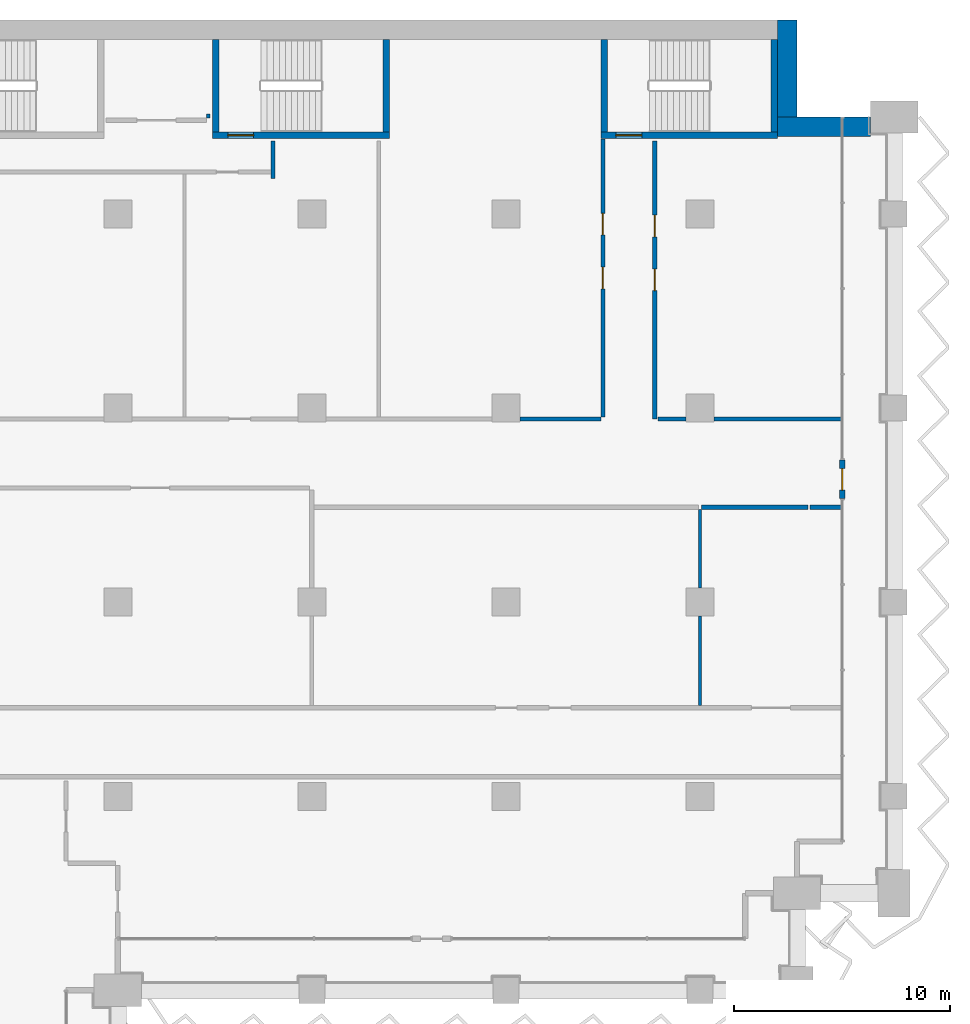
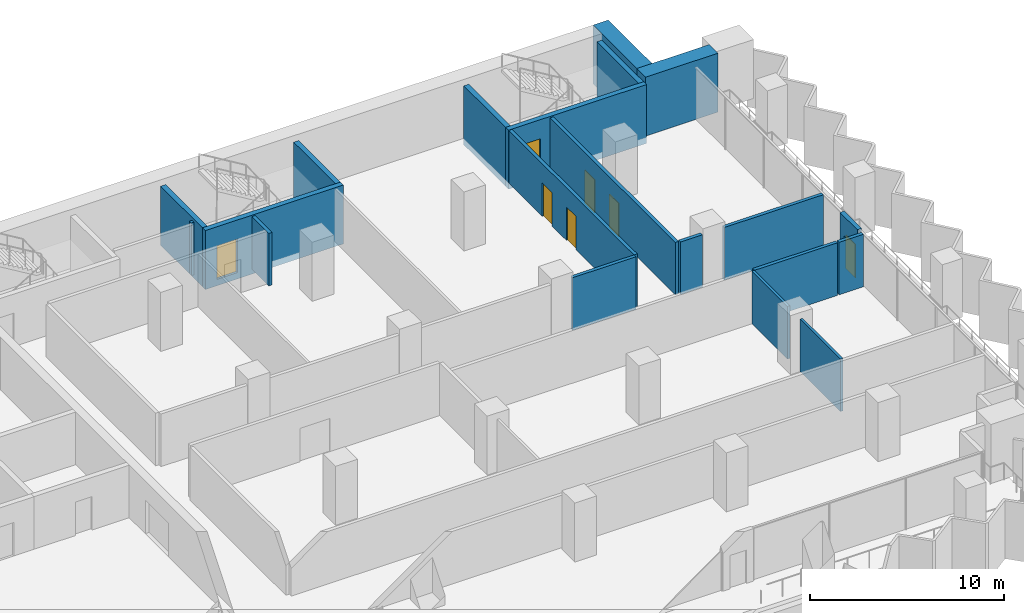
# One storey, part 15 of 23: 20 walls, 7 doors, 7 openings.
"""IFC4 building model written with IfcOpenShell, lengths in metres."""

from ifc_helpers import new_model, si_unit, direction, frame, frame_2d, origin, place, context, subcontext, project, spatial, rectangle, extrude, material, layer, layer_set, type_object, element, fill, save


model = new_model("IFC4")

# Units and contexts
model_context = context("Model", 3, precision=1e-05, world=origin(), true_north=direction((0.0, 1.0)))
body_context = subcontext(model_context, "Body", "Model", "MODEL_VIEW")
ifc_project = project(units=[si_unit("LENGTHUNIT", "METRE"), si_unit("AREAUNIT", "SQUARE_METRE"), si_unit("VOLUMEUNIT", "CUBIC_METRE"), si_unit("PLANEANGLEUNIT", "RADIAN"), si_unit("MASSUNIT", "GRAM", prefix="KILO")], contexts=[model_context])

# Site, building, storey
site_placement = place(None, origin())
site = spatial("IfcSite", under=ifc_project, at=site_placement, CompositionType="ELEMENT")
building_placement = place(site_placement, origin())
building = spatial("IfcBuilding", under=site, at=building_placement, Name="Hunhe Ridgeline Campus", CompositionType="ELEMENT")
storey_placement = place(building_placement, frame((0.0, 0.0, 121.800048828125)))
storey = spatial("IfcBuildingStorey", under=building, at=storey_placement, Name="L30", CompositionType="ELEMENT", Elevation=121.800048828125)

# Walls
ifc_material_1 = material(Name="Gypsum board partition")
ifc_layer_1 = layer(ifc_material_1, 0.199951171875)
ifc_layer_set_1 = layer_set([ifc_layer_1], Name="Corridor partition 200 gypsum board on steel studs")
wall_type_1 = type_object("IfcWallType", Name="Corridor partition 200 gypsum board on steel studs", PredefinedType="PARTITIONING", material=ifc_layer_set_1)
wall_1_placement = place(storey_placement, frame((76.9990234375, 76.40087890625, 0.0), z_axis=(0.0, 0.0, 1.0), x_axis=(-1.0, 0.0, 0.0)))
element("IfcWall", 1, at=wall_1_placement, inside=storey, type_object=wall_type_1, Name="F-L30-wall-042", PredefinedType="PARTITIONING", context=body_context, shape_type="SweptSolid", body=[
    extrude(rectangle(XDim=4.924072265625, YDim=0.199951171875, at=frame_2d((2.4619140625, 0.0))), origin(), (0.0, 0.0, 1.0), 3.300048828125),
])
wall_2_placement = place(storey_placement, frame((78.544921875, 76.40087890625, 0.0), z_axis=(0.0, 0.0, 1.0), x_axis=(-1.0, 0.0, 0.0)))
element("IfcWall", 2, at=wall_2_placement, inside=storey, type_object=wall_type_1, Name="F-L30-wall-043", PredefinedType="PARTITIONING", context=body_context, shape_type="SweptSolid", body=[
    extrude(rectangle(XDim=1.44580078125, YDim=0.199951171875, at=frame_2d((0.722900390625, 0.0))), origin(), (0.0, 0.0, 1.0), 3.300048828125),
])
wall_3_placement = place(storey_placement, frame((63.64990234375, 80.5, 0.0), z_axis=(0.0, 0.0, 1.0), x_axis=(1.0, 0.0, 0.0)))
element("IfcWall", 3, at=wall_3_placement, inside=storey, type_object=wall_type_1, Name="F-L30-wall-048", PredefinedType="PARTITIONING", context=body_context, shape_type="SweptSolid", body=[
    extrude(rectangle(XDim=3.75, YDim=0.199951171875, at=frame_2d((1.875, 0.0))), origin(), (0.0, 0.0, 1.0), 3.300048828125),
])
wall_4_placement = place(storey_placement, frame((70.056884765625, 80.5, 0.0), z_axis=(0.0, 0.0, 1.0), x_axis=(1.0, 0.0, 0.0)))
element("IfcWall", 4, at=wall_4_placement, inside=storey, type_object=wall_type_1, Name="F-L30-wall-049", PredefinedType="PARTITIONING", context=body_context, shape_type="SweptSolid", body=[
    extrude(rectangle(XDim=1.293212890625, YDim=0.199951171875, at=frame_2d((0.646484375, 0.0))), origin(), (0.0, 0.0, 1.0), 3.300048828125),
])
wall_5_placement = place(storey_placement, frame((72.64990234375, 80.5, 0.0), z_axis=(0.0, 0.0, 1.0), x_axis=(1.0, 0.0, 0.0)))
element("IfcWall", 5, at=wall_5_placement, inside=storey, type_object=wall_type_1, Name="F-L30-wall-050", PredefinedType="PARTITIONING", context=body_context, shape_type="SweptSolid", body=[
    extrude(rectangle(XDim=5.89501953125, YDim=0.199951171875, at=frame_2d((2.947509765625, 0.0))), origin(), (0.0, 0.0, 1.0), 3.300048828125),
])
wall_6_placement = place(storey_placement, frame((52.199951171875, 93.39599609375, 0.0), z_axis=(0.0, 0.0, 1.0), x_axis=(0.0, -1.0, 0.0)))
element("IfcWall", 6, at=wall_6_placement, inside=storey, type_object=wall_type_1, Name="F-L30-wall-071", PredefinedType="PARTITIONING", context=body_context, shape_type="SweptSolid", body=[
    extrude(rectangle(XDim=1.74609375, YDim=0.199951171875, at=frame_2d((0.873046875, 0.0))), origin(), (0.0, 0.0, 1.0), 3.300048828125),
])

# Wall, openings, doors
wall_7_placement = place(storey_placement, frame((67.5, 80.60009765625, 0.0), z_axis=(0.0, 0.0, 1.0), x_axis=(0.0, 1.0, 0.0)))
wall_7 = element("IfcWall", 7, at=wall_7_placement, inside=storey, type_object=wall_type_1, Name="F-L30-wall-075", PredefinedType="PARTITIONING", context=body_context, shape_type="SweptSolid", body=[
    extrude(rectangle(XDim=12.869873046875, YDim=0.199951171875, at=frame_2d((6.43505859375, 0.0))), origin(), (0.0, 0.0, 1.0), 3.300048828125),
])
opening_1_placement = place(wall_7_placement, frame((5.93505859375, 0.0, 0.0)))
opening_1 = element("IfcOpeningElement", 8, at=opening_1_placement, cuts=wall_7, Name="Opening RD1-030", PredefinedType="OPENING", context=body_context, shape_type="SweptSolid", body=[
    extrude(rectangle(XDim=1.0, YDim=2.10009765625, at=frame_2d((0.5, 1.050048828125))), frame((0.0, 0.10009765625, 0.0), z_axis=(0.0, -1.0, 0.0), x_axis=(1.0, 0.0, 0.0)), (0.0, 0.0, 1.0), 0.199951171875),
])
opening_2_placement = place(wall_7_placement, frame((8.43505859375, 0.0, 0.0)))
opening_2 = element("IfcOpeningElement", 9, at=opening_2_placement, cuts=wall_7, Name="Opening RD1-033", PredefinedType="OPENING", context=body_context, shape_type="SweptSolid", body=[
    extrude(rectangle(XDim=1.0, YDim=2.10009765625, at=frame_2d((0.5, 1.050048828125))), frame((0.0, 0.10009765625, 0.0), z_axis=(0.0, -1.0, 0.0), x_axis=(1.0, 0.0, 0.0)), (0.0, 0.0, 1.0), 0.199951171875),
])
ifc_material_2 = material(Name="Timber door leaf", Category="wood")
door_type_1 = type_object("IfcDoorType", Name="Single fire door 1000x2100 timber FD60", OperationType="NOTDEFINED", PredefinedType="DOOR", material=ifc_material_2)
door_1_placement = place(opening_1_placement, frame((1.0, 0.0, 0.0), z_axis=(0.0, 0.0, 1.0), x_axis=(-1.0, 0.0, 0.0)))
door_1 = element("IfcDoor", 10, at=door_1_placement, inside=storey, type_object=door_type_1, Name="F-L30-door-030", OperationType="SINGLE_SWING_LEFT", OverallHeight=2.10009765625, OverallWidth=1.0, PredefinedType="DOOR", context=body_context, shape_type="SweptSolid", body=[
    extrude(rectangle(XDim=1.0, YDim=2.10009765625, at=frame_2d((0.5, 1.050048828125))), frame((0.0, 0.02490234375, 0.0), z_axis=(0.0, -1.0, 0.0), x_axis=(1.0, 0.0, 0.0)), (0.0, 0.0, 1.0), 0.050048828125),
])
fill(opening_1, door_1)
door_2_placement = place(opening_2_placement, frame((1.0, 0.0, 0.0), z_axis=(0.0, 0.0, 1.0), x_axis=(-1.0, 0.0, 0.0)))
door_2 = element("IfcDoor", 11, at=door_2_placement, inside=storey, type_object=door_type_1, Name="F-L30-door-033", OperationType="SINGLE_SWING_LEFT", OverallHeight=2.10009765625, OverallWidth=1.0, PredefinedType="DOOR", context=body_context, shape_type="SweptSolid", body=[
    extrude(rectangle(XDim=1.0, YDim=2.10009765625, at=frame_2d((0.5, 1.050048828125))), frame((0.0, 0.02490234375, 0.0), z_axis=(0.0, -1.0, 0.0), x_axis=(1.0, 0.0, 0.0)), (0.0, 0.0, 1.0), 0.050048828125),
])
fill(opening_2, door_2)

wall_8_placement = place(storey_placement, frame((69.89990234375, 93.39599609375, 0.0), z_axis=(0.0, 0.0, 1.0), x_axis=(0.0, -1.0, 0.0)))
wall_8 = element("IfcWall", 12, at=wall_8_placement, inside=storey, type_object=wall_type_1, Name="F-L30-wall-076", PredefinedType="PARTITIONING", context=body_context, shape_type="SweptSolid", body=[
    extrude(rectangle(XDim=12.89599609375, YDim=0.199951171875, at=frame_2d((6.447998046875, 0.0))), origin(), (0.0, 0.0, 1.0), 3.300048828125),
])
opening_3_placement = place(wall_8_placement, frame((5.947998046875, 0.0, 0.0)))
opening_3 = element("IfcOpeningElement", 13, at=opening_3_placement, cuts=wall_8, Name="Opening RD1-029", PredefinedType="OPENING", context=body_context, shape_type="SweptSolid", body=[
    extrude(rectangle(XDim=1.0, YDim=2.10009765625, at=frame_2d((0.5, 1.050048828125))), frame((0.0, 0.10009765625, 0.0), z_axis=(0.0, -1.0, 0.0), x_axis=(1.0, 0.0, 0.0)), (0.0, 0.0, 1.0), 0.199951171875),
])
opening_4_placement = place(wall_8_placement, frame((3.447998046875, 0.0, 0.0)))
opening_4 = element("IfcOpeningElement", 14, at=opening_4_placement, cuts=wall_8, Name="Opening RD1-032", PredefinedType="OPENING", context=body_context, shape_type="SweptSolid", body=[
    extrude(rectangle(XDim=1.0, YDim=2.10009765625, at=frame_2d((0.5, 1.050048828125))), frame((0.0, 0.10009765625, 0.0), z_axis=(0.0, -1.0, 0.0), x_axis=(1.0, 0.0, 0.0)), (0.0, 0.0, 1.0), 0.199951171875),
])
door_3_placement = place(opening_3_placement, frame((1.0, 0.0, 0.0), z_axis=(0.0, 0.0, 1.0), x_axis=(-1.0, 0.0, 0.0)))
door_3 = element("IfcDoor", 15, at=door_3_placement, inside=storey, type_object=door_type_1, Name="F-L30-door-029", OperationType="SINGLE_SWING_RIGHT", OverallHeight=2.10009765625, OverallWidth=1.0, PredefinedType="DOOR", context=body_context, shape_type="SweptSolid", body=[
    extrude(rectangle(XDim=1.0, YDim=2.10009765625, at=frame_2d((0.5, 1.050048828125))), frame((0.0, 0.02490234375, 0.0), z_axis=(0.0, -1.0, 0.0), x_axis=(1.0, 0.0, 0.0)), (0.0, 0.0, 1.0), 0.050048828125),
])
fill(opening_3, door_3)
door_4_placement = place(opening_4_placement, frame((1.0, 0.0, 0.0), z_axis=(0.0, 0.0, 1.0), x_axis=(-1.0, 0.0, 0.0)))
door_4 = element("IfcDoor", 16, at=door_4_placement, inside=storey, type_object=door_type_1, Name="F-L30-door-032", OperationType="SINGLE_SWING_RIGHT", OverallHeight=2.10009765625, OverallWidth=1.0, PredefinedType="DOOR", context=body_context, shape_type="SweptSolid", body=[
    extrude(rectangle(XDim=1.0, YDim=2.10009765625, at=frame_2d((0.5, 1.050048828125))), frame((0.0, 0.02490234375, 0.0), z_axis=(0.0, -1.0, 0.0), x_axis=(1.0, 0.0, 0.0)), (0.0, 0.0, 1.0), 0.050048828125),
])
fill(opening_4, door_4)

# Wall, opening, door
ifc_material_3 = material(Name="Concrete C30", Category="concrete")
ifc_layer_2 = layer(ifc_material_3, 0.25)
ifc_layer_set_2 = layer_set([ifc_layer_2], Name="Loggia door pier wall 250 Concrete C30")
wall_type_2 = type_object("IfcWallType", Name="Loggia door pier wall 250 Concrete C30", PredefinedType="SOLIDWALL", material=ifc_layer_set_2)
wall_9_placement = place(storey_placement, frame((78.59912109375, 76.800537109375, 0.0), z_axis=(0.0, 0.0, 1.0), x_axis=(0.0, 1.0, 0.0)))
wall_9 = element("IfcWall", 17, at=wall_9_placement, inside=storey, type_object=wall_type_2, Name="Loggia door pier 5", PredefinedType="SOLIDWALL", context=body_context, shape_type="SweptSolid", body=[
    extrude(rectangle(XDim=1.800048828125, YDim=0.25, at=frame_2d((0.89990234375, 0.0))), origin(), (0.0, 0.0, 1.0), 3.300048828125),
])
opening_5_placement = place(wall_9_placement, frame((0.39990234375, 0.0, 0.0)))
opening_5 = element("IfcOpeningElement", 18, at=opening_5_placement, cuts=wall_9, Name="Opening BD207", PredefinedType="OPENING", context=body_context, shape_type="SweptSolid", body=[
    extrude(rectangle(XDim=1.0, YDim=2.10009765625, at=frame_2d((0.5, 1.050048828125))), frame((0.0, 0.125, 0.0), z_axis=(0.0, -1.0, 0.0), x_axis=(1.0, 0.0, 0.0)), (0.0, 0.0, 1.0), 0.25),
])
ifc_material_4 = material(Name="Aluminium 6063", Category="aluminium")
door_type_2 = type_object("IfcDoorType", Name="Loggia glazed door 1000x2100", OperationType="NOTDEFINED", PredefinedType="DOOR", material=ifc_material_4)
door_5_placement = place(opening_5_placement, frame((1.0, 0.0, 0.0), z_axis=(0.0, 0.0, 1.0), x_axis=(-1.0, 0.0, 0.0)))
door_5 = element("IfcDoor", 19, at=door_5_placement, inside=storey, type_object=door_type_2, Name="Loggia door BD207", OperationType="SINGLE_SWING_RIGHT", OverallHeight=2.10009765625, OverallWidth=1.0, PredefinedType="DOOR", context=body_context, shape_type="SweptSolid", body=[
    extrude(rectangle(XDim=1.0, YDim=2.10009765625, at=frame_2d((0.5, 1.050048828125))), frame((0.0, 0.02490234375, 0.0), z_axis=(0.0, -1.0, 0.0), x_axis=(1.0, 0.0, 0.0)), (0.0, 0.0, 1.0), 0.050048828125),
])
fill(opening_5, door_5)

# Walls
ifc_layer_3 = layer(ifc_material_1, 0.14990234375)
ifc_layer_set_3 = layer_set([ifc_layer_3], Name="Room partition 150 gypsum board on steel studs")
wall_type_3 = type_object("IfcWallType", Name="Room partition 150 gypsum board on steel studs", PredefinedType="PARTITIONING", material=ifc_layer_set_3)
wall_10_placement = place(storey_placement, frame((49.199951171875, 94.64990234375, 0.0), z_axis=(0.0, 0.0, 1.0), x_axis=(0.0, -1.0, 0.0)))
element("IfcWall", 20, at=wall_10_placement, inside=storey, type_object=wall_type_3, Name="F-L30-wall-070", PredefinedType="PARTITIONING", context=body_context, shape_type="SweptSolid", body=[
    extrude(rectangle(XDim=0.199951171875, YDim=0.14990234375, at=frame_2d((0.10009765625, 0.0))), origin(), (0.0, 0.0, 1.0), 3.300048828125),
])
wall_11_placement = place(storey_placement, frame((72.0, 71.35009765625, 0.0), z_axis=(0.0, 0.0, 1.0), x_axis=(0.0, -1.0, 0.0)))
element("IfcWall", 21, at=wall_11_placement, inside=storey, type_object=wall_type_3, Name="F-L30-wall-077", PredefinedType="PARTITIONING", context=body_context, shape_type="SweptSolid", body=[
    extrude(rectangle(XDim=4.150146484375, YDim=0.14990234375, at=frame_2d((2.0751953125, 0.0))), origin(), (0.0, 0.0, 1.0), 3.300048828125),
])
wall_12_placement = place(storey_placement, frame((72.0, 76.301025390625, 0.0), z_axis=(0.0, 0.0, 1.0), x_axis=(0.0, -1.0, 0.0)))
element("IfcWall", 22, at=wall_12_placement, inside=storey, type_object=wall_type_3, Name="F-L30-wall-078", PredefinedType="PARTITIONING", context=body_context, shape_type="SweptSolid", body=[
    extrude(rectangle(XDim=3.651123046875, YDim=0.14990234375, at=frame_2d((1.82568359375, 0.0))), origin(), (0.0, 0.0, 1.0), 3.300048828125),
])
ifc_material_5 = material(Name="Concrete C70", Category="concrete")
ifc_layer_4 = layer(ifc_material_5, 0.89990234375)
ifc_layer_set_4 = layer_set([ifc_layer_4], Name="Spine wall 900 Concrete C70")
wall_type_4 = type_object("IfcWallType", Name="Spine wall 900 Concrete C70", PredefinedType="SHEAR", material=ifc_layer_set_4)
wall_13_placement = place(storey_placement, frame((79.89990234375, 94.050048828125, 0.0), z_axis=(0.0, 0.0, 1.0), x_axis=(-1.0, 0.0, 0.0)))
element("IfcWall", 23, at=wall_13_placement, inside=storey, type_object=wall_type_4, Name="Spine wall SW2-2 L30", PredefinedType="SHEAR", context=body_context, shape_type="SweptSolid", body=[
    extrude(rectangle(XDim=4.30029296875, YDim=0.89990234375, at=frame_2d((2.150146484375, 0.0))), origin(), (0.0, 0.0, 1.0), 3.699951171875),
])
wall_14_placement = place(storey_placement, frame((76.050048828125, 93.60009765625, 0.0), z_axis=(0.0, 0.0, 1.0), x_axis=(0.0, 1.0, 0.0)))
element("IfcWall", 24, at=wall_14_placement, inside=storey, type_object=wall_type_4, Name="Spine wall SW2-3 L30", PredefinedType="SHEAR", context=body_context, shape_type="SweptSolid", body=[
    extrude(rectangle(XDim=5.39990234375, YDim=0.89990234375, at=frame_2d((2.699951171875, 0.0))), origin(), (0.0, 0.0, 1.0), 3.699951171875),
])

# Wall, opening, door
ifc_material_6 = material(Name="Concrete C80", Category="concrete")
ifc_layer_5 = layer(ifc_material_6, 0.300048828125)
ifc_layer_set_5 = layer_set([ifc_layer_5], Name="Stair wall 300 reinforced concrete C80")
wall_type_5 = type_object("IfcWallType", Name="Stair wall 300 reinforced concrete C80", PredefinedType="SOLIDWALL", material=ifc_layer_set_5)
wall_15_placement = place(storey_placement, frame((49.39990234375, 93.64990234375, -0.400146484375), z_axis=(0.0, 0.0, 1.0), x_axis=(1.0, 0.0, 0.0)))
wall_15 = element("IfcWall", 25, at=wall_15_placement, inside=storey, type_object=wall_type_5, Name="L30 core wall 29", PredefinedType="SOLIDWALL", context=body_context, shape_type="SweptSolid", body=[
    extrude(rectangle(XDim=8.2001953125, YDim=0.300048828125, at=frame_2d((4.10009765625, 0.0))), origin(), (0.0, 0.0, 1.0), 3.7001953125),
])
opening_6_placement = place(wall_15_placement, frame((0.699951171875, 0.0, 0.39990234375)))
opening_6 = element("IfcOpeningElement", 26, at=opening_6_placement, cuts=wall_15, Name="Opening CD18", PredefinedType="OPENING", context=body_context, shape_type="SweptSolid", body=[
    extrude(rectangle(XDim=1.199951171875, YDim=2.10009765625, at=frame_2d((0.60009765625, 1.050048828125))), frame((0.0, 0.14990234375, 0.0), z_axis=(0.0, -1.0, 0.0), x_axis=(1.0, 0.0, 0.0)), (0.0, 0.0, 1.0), 0.300048828125),
])
ifc_material_7 = material(Name="Hollow metal fire door leaf")
door_type_3 = type_object("IfcDoorType", Name="Stair door 1200x2100 FD60", OperationType="SINGLE_SWING_LEFT", PredefinedType="DOOR", material=ifc_material_7)
door_6_placement = place(opening_6_placement, frame((1.199951171875, 0.0, 0.0), z_axis=(0.0, 0.0, 1.0), x_axis=(-1.0, 0.0, 0.0)))
door_6 = element("IfcDoor", 27, at=door_6_placement, inside=storey, type_object=door_type_3, Name="L30 door E2", OperationType="SINGLE_SWING_LEFT", OverallHeight=2.10009765625, OverallWidth=1.199951171875, PredefinedType="DOOR", context=body_context, shape_type="SweptSolid", body=[
    extrude(rectangle(XDim=1.199951171875, YDim=2.10009765625, at=frame_2d((0.60009765625, 1.050048828125))), frame((0.0, 0.02490234375, 0.0), z_axis=(0.0, -1.0, 0.0), x_axis=(1.0, 0.0, 0.0)), (0.0, 0.0, 1.0), 0.050048828125),
])
fill(opening_6, door_6)

wall_16_placement = place(storey_placement, frame((67.39990234375, 93.64990234375, -0.400146484375), z_axis=(0.0, 0.0, 1.0), x_axis=(1.0, 0.0, 0.0)))
wall_16 = element("IfcWall", 28, at=wall_16_placement, inside=storey, type_object=wall_type_5, Name="L30 core wall 30", PredefinedType="SOLIDWALL", context=body_context, shape_type="SweptSolid", body=[
    extrude(rectangle(XDim=8.2001953125, YDim=0.300048828125, at=frame_2d((4.10009765625, 0.0))), origin(), (0.0, 0.0, 1.0), 3.7001953125),
])
opening_7_placement = place(wall_16_placement, frame((0.699951171875, 0.0, 0.39990234375)))
opening_7 = element("IfcOpeningElement", 29, at=opening_7_placement, cuts=wall_16, Name="Opening CD19", PredefinedType="OPENING", context=body_context, shape_type="SweptSolid", body=[
    extrude(rectangle(XDim=1.199951171875, YDim=2.10009765625, at=frame_2d((0.60009765625, 1.050048828125))), frame((0.0, 0.14990234375, 0.0), z_axis=(0.0, -1.0, 0.0), x_axis=(1.0, 0.0, 0.0)), (0.0, 0.0, 1.0), 0.300048828125),
])
door_7_placement = place(opening_7_placement, frame((1.199951171875, 0.0, 0.0), z_axis=(0.0, 0.0, 1.0), x_axis=(-1.0, 0.0, 0.0)))
door_7 = element("IfcDoor", 30, at=door_7_placement, inside=storey, type_object=door_type_3, Name="L30 door E3", OperationType="SINGLE_SWING_RIGHT", OverallHeight=2.10009765625, OverallWidth=1.199951171875, PredefinedType="DOOR", context=body_context, shape_type="SweptSolid", body=[
    extrude(rectangle(XDim=1.199951171875, YDim=2.10009765625, at=frame_2d((0.60009765625, 1.050048828125))), frame((0.0, 0.02490234375, 0.0), z_axis=(0.0, -1.0, 0.0), x_axis=(1.0, 0.0, 0.0)), (0.0, 0.0, 1.0), 0.050048828125),
])
fill(opening_7, door_7)

# Walls
for number, where, z_axis, x_axis, name in (
    (31, (49.550048828125, 93.800048828125, -0.400146484375), (0.0, 0.0, 1.0), (0.0, 1.0, 0.0), "L30 core wall 64"),
    (32, (57.449951171875, 93.800048828125, -0.400146484375), (0.0, 0.0, 1.0), (0.0, 1.0, 0.0), "L30 core wall 65"),
    (33, (67.550048828125, 93.800048828125, -0.400146484375), (0.0, 0.0, 1.0), (0.0, 1.0, 0.0), "L30 core wall 66"),
    (34, (75.449951171875, 93.800048828125, -0.400146484375), (0.0, 0.0, 1.0), (0.0, 1.0, 0.0), "L30 core wall 67"),
):
    element("IfcWall", number, at=place(storey_placement, frame(where, z_axis=z_axis, x_axis=x_axis)), inside=storey, type_object=wall_type_5, Name=name, PredefinedType="SOLIDWALL", context=body_context, shape_type="SweptSolid", body=[
        extrude(rectangle(XDim=4.300048828125, YDim=0.300048828125, at=frame_2d((2.14990234375, 0.0))), origin(), (0.0, 0.0, 1.0), 3.7001953125),
    ])

save(model, "model.ifc")
